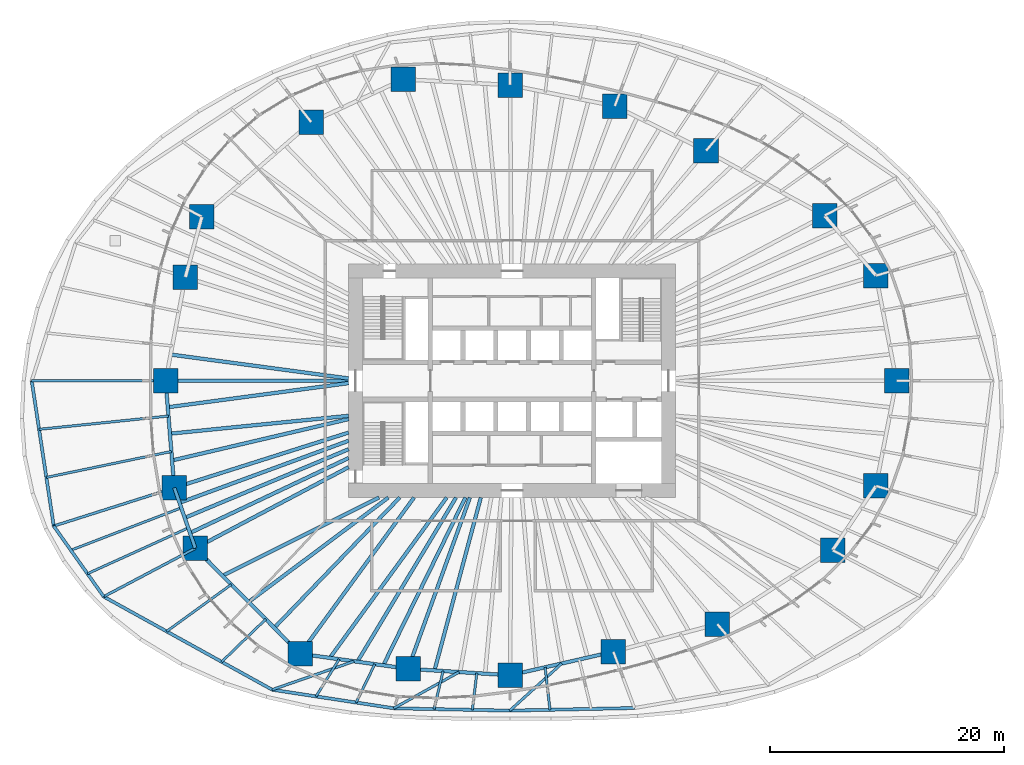
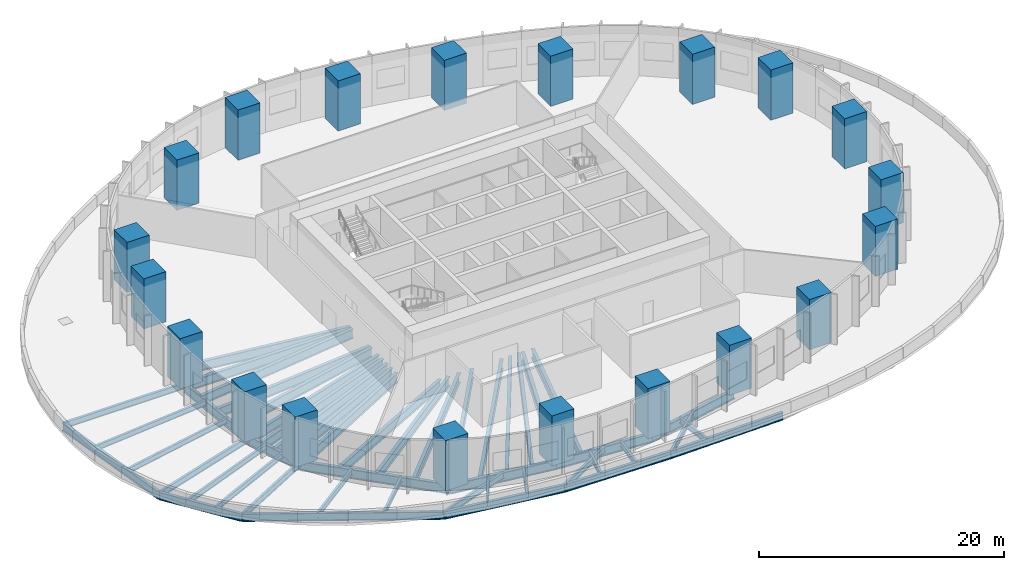
# One storey, part 1 of 11: 48 beams, 20 columns.
"""IFC4 building model written with IfcOpenShell, lengths in metres."""

from ifc_helpers import new_model, si_unit, direction, frame, origin, origin_2d, place, context, subcontext, project, spatial, rectangle, i_section, extrude, material, material_profile, profile_set, type_object, element, save


model = new_model("IFC4")

# Units and contexts
model_context = context("Model", 3, precision=1e-05, world=origin(), true_north=direction((0.0, 1.0)))
body_context = subcontext(model_context, "Body", "Model", "MODEL_VIEW")
ifc_project = project(units=[si_unit("LENGTHUNIT", "METRE"), si_unit("AREAUNIT", "SQUARE_METRE"), si_unit("VOLUMEUNIT", "CUBIC_METRE"), si_unit("PLANEANGLEUNIT", "RADIAN"), si_unit("MASSUNIT", "GRAM", prefix="KILO")], contexts=[model_context])

# Site, building, storey
site_placement = place(None, origin())
site = spatial("IfcSite", under=ifc_project, at=site_placement, CompositionType="ELEMENT")
building_placement = place(site_placement, origin())
building = spatial("IfcBuilding", under=site, at=building_placement, Name="Ghaith Harvest Tower", CompositionType="ELEMENT")
storey_placement = place(building_placement, frame((0.0, 0.0, 15.0)))
storey = spatial("IfcBuildingStorey", under=building, at=storey_placement, Name="L03", CompositionType="ELEMENT", Elevation=15.0)

# Columns
ifc_material_1 = material(Name="Concrete C70/85", Category="concrete")
ifc_material_profile_1 = material_profile(ifc_material_1, rectangle(XDim=2.10009765625, YDim=2.10009765625, at=origin_2d()), Name="RC2100X2100")
ifc_profile_set_1 = profile_set([ifc_material_profile_1], Name="Concrete C70/85")
column_type = type_object("IfcColumnType", Name="TC1 RC2100X2100", PredefinedType="COLUMN", material=ifc_profile_set_1)
for number, where, z_axis, x_axis, name in (
    (1, (32.925048828125, 0.0, 0.0), (0.0, 0.0, 1.0), (1.0, 0.0, 0.0), "Perimeter column C01"),
    (2, (31.166015625, 9.008056640625, 0.0), (0.0, 0.0, 1.0), (1.0, 0.0, 0.0), "Perimeter column C02"),
    (3, (26.763916015625, 14.14697265625, 0.0), (0.0, 0.0, 1.0), (1.0, 0.0, 0.0), "Perimeter column C03"),
    (4, (16.60791015625, 19.695068359375, 0.0), (0.0, 0.0, 1.0), (1.0, 0.0, 0.0), "Perimeter column C04"),
    (5, (8.794921875, 23.527099609375, 0.0), (0.0, 0.0, 1.0), (1.0, 0.0, 0.0), "Perimeter column C05"),
    (6, (-0.173095703125, 25.326904296875, 0.0), (0.0, 0.0, 1.0), (1.0, 0.0, 0.0), "Perimeter column C06"),
    (7, (-9.325927734375, 25.821044921875, 0.0), (0.0, 0.0, 1.0), (1.0, 0.0, 0.0), "Perimeter column C07"),
    (8, (-17.201904296875, 22.14990234375, 0.0), (0.0, 0.0, 1.0), (1.0, 0.0, 0.0), "Perimeter column C08"),
    (9, (-26.572998046875, 14.0458984375, 0.0), (0.0, 0.0, 1.0), (1.0, 0.0, 0.0), "Perimeter column C09"),
    (10, (-27.98291015625, 8.867919921875, 0.0), (0.0, 0.0, 1.0), (1.0, 0.0, 0.0), "Perimeter column C10"),
    (11, (-29.675048828125, 0.0, 0.0), (0.0, 0.0, 1.0), (1.0, 0.0, 0.0), "Perimeter column C11"),
    (12, (-28.929931640625, -9.16796875, 0.0), (0.0, 0.0, 1.0), (1.0, 0.0, 0.0), "Perimeter column C12"),
    (13, (-27.132080078125, -14.341064453125, 0.0), (0.0, 0.0, 1.0), (1.0, 0.0, 0.0), "Perimeter column C13"),
    (14, (-18.157958984375, -23.3798828125, 0.0), (0.0, 0.0, 1.0), (1.0, 0.0, 0.0), "Perimeter column C14"),
    (15, (-8.908935546875, -24.66796875, 0.0), (0.0, 0.0, 1.0), (1.0, 0.0, 0.0), "Perimeter column C15"),
    (16, (-0.173095703125, -25.22412109375, 0.0), (0.0, 0.0, 1.0), (1.0, 0.0, 0.0), "Perimeter column C16"),
    (17, (8.674072265625, -23.202880859375, 0.0), (0.0, 0.0, 1.0), (1.0, 0.0, 0.0), "Perimeter column C17"),
    (18, (17.572021484375, -20.8369140625, 0.0), (0.0, 0.0, 1.0), (1.0, 0.0, 0.0), "Perimeter column C18"),
    (19, (27.448974609375, -14.509033203125, 0.0), (0.0, 0.0, 1.0), (1.0, 0.0, 0.0), "Perimeter column C19"),
    (20, (31.166015625, -9.008056640625, 0.0), (0.0, 0.0, 1.0), (1.0, 0.0, 0.0), "Perimeter column C20"),
):
    element("IfcColumn", number, at=place(storey_placement, frame(where, z_axis=z_axis, x_axis=x_axis)), inside=storey, type_object=column_type, Name=name, PredefinedType="COLUMN", context=body_context, shape_type="SweptSolid", body=[
        extrude(rectangle(XDim=2.10009765625, YDim=2.10009765625, at=origin_2d()), origin(), (0.0, 0.0, 1.0), 5.0),
    ])

# Beams
ifc_material_2 = material(Name="Steel ASTM A992 Grade 50", Category="steel")
ifc_material_profile_2 = material_profile(ifc_material_2, i_section(OverallWidth=0.26806640625, OverallDepth=0.77001953125, WebThickness=0.015625, FlangeThickness=0.025390625, at=origin_2d()), Name="W760X196")
ifc_profile_set_2 = profile_set([ifc_material_profile_2], Name="Steel ASTM A992 Grade 50")
beam_type_1 = type_object("IfcBeamType", Name="E760-196 W760X196", PredefinedType="SPANDREL", material=ifc_profile_set_2)
beam_1_placement = place(storey_placement, frame((-41.14208984375, 0.0, -0.68505859375), z_axis=(0.149882970855, -0.988703744833, 0.0), x_axis=(0.988703744833, 0.149882970855, 0.0)))
element("IfcBeam", 21, at=beam_1_placement, inside=storey, type_object=beam_type_1, Name="Podium edge beam PE11 L03", PredefinedType="SPANDREL", context=body_context, shape_type="SweptSolid", body=[
    extrude(i_section(OverallWidth=0.26806640625, OverallDepth=0.77001953125, WebThickness=0.015625, FlangeThickness=0.025390625, at=origin_2d()), origin(), (0.0, 0.0, 1.0), 12.5830078125),
])
beam_2_placement = place(storey_placement, frame((-39.256103515625, -12.44091796875, -0.68505859375), z_axis=(0.577866461628, -0.81613133289, 0.0), x_axis=(0.81613133289, 0.577866461628, 0.0)))
element("IfcBeam", 22, at=beam_2_placement, inside=storey, type_object=beam_type_1, Name="Podium edge beam PE12 L03", PredefinedType="SPANDREL", context=body_context, shape_type="SweptSolid", body=[
    extrude(i_section(OverallWidth=0.26806640625, OverallDepth=0.77001953125, WebThickness=0.015625, FlangeThickness=0.025390625, at=origin_2d()), origin(), (0.0, 0.0, 1.0), 7.408203125),
])
beam_3_placement = place(storey_placement, frame((-34.97509765625, -18.487060546875, -0.68505859375), z_axis=(0.875250611325, -0.483669688294, 0.0), x_axis=(0.483669688294, 0.875250611325, 0.0)))
element("IfcBeam", 23, at=beam_3_placement, inside=storey, type_object=beam_type_1, Name="Podium edge beam PE13 L03", PredefinedType="SPANDREL", context=body_context, shape_type="SweptSolid", body=[
    extrude(i_section(OverallWidth=0.26806640625, OverallDepth=0.77001953125, WebThickness=0.015625, FlangeThickness=0.025390625, at=origin_2d()), origin(), (0.0, 0.0, 1.0), 16.482177734375),
])
beam_4_placement = place(storey_placement, frame((-20.549072265625, -26.458984375, -0.68505859375), z_axis=(0.988537951138, -0.150972577511, 0.0), x_axis=(0.150972577511, 0.988537951138, 0.0)))
element("IfcBeam", 24, at=beam_4_placement, inside=storey, type_object=beam_type_1, Name="Podium edge beam PE14 L03", PredefinedType="SPANDREL", context=body_context, shape_type="SweptSolid", body=[
    extrude(i_section(OverallWidth=0.26806640625, OverallDepth=0.77001953125, WebThickness=0.015625, FlangeThickness=0.025390625, at=origin_2d()), origin(), (0.0, 0.0, 1.0), 10.538818359375),
])
beam_5_placement = place(storey_placement, frame((-10.131103515625, -28.050048828125, -0.68505859375), z_axis=(0.999797656564, -0.02011581292, 0.0), x_axis=(0.02011581292, 0.999797656564, 0.0)))
element("IfcBeam", 25, at=beam_5_placement, inside=storey, type_object=beam_type_1, Name="Podium edge beam PE15 L03", PredefinedType="SPANDREL", context=body_context, shape_type="SweptSolid", body=[
    extrude(i_section(OverallWidth=0.26806640625, OverallDepth=0.77001953125, WebThickness=0.015625, FlangeThickness=0.025390625, at=origin_2d()), origin(), (0.0, 0.0, 1.0), 9.93994140625),
])
beam_6_placement = place(storey_placement, frame((-0.193115234375, -28.25, -0.68505859375), z_axis=(0.99978187412, 0.020885501683, 0.0), x_axis=(-0.020885501683, 0.99978187412, 0.0)))
element("IfcBeam", 26, at=beam_6_placement, inside=storey, type_object=beam_type_1, Name="Podium edge beam PE16 L03", PredefinedType="SPANDREL", context=body_context, shape_type="SweptSolid", body=[
    extrude(i_section(OverallWidth=0.26806640625, OverallDepth=0.77001953125, WebThickness=0.015625, FlangeThickness=0.025390625, at=origin_2d()), origin(), (0.0, 0.0, 1.0), 10.672607421875),
])
ifc_material_3 = material(Name="Steel ASTM A992 Grade 50", Category="steel")
ifc_material_profile_3 = material_profile(ifc_material_3, i_section(OverallWidth=0.306884765625, OverallDepth=0.94189453125, WebThickness=0.022216796875, FlangeThickness=0.039794921875, at=origin_2d()), Name="W920X345")
ifc_profile_set_3 = profile_set([ifc_material_profile_3], Name="Steel ASTM A992 Grade 50")
beam_type_2 = type_object("IfcBeamType", Name="E920-345 W920X345", PredefinedType="SPANDREL", material=ifc_profile_set_3)
beam_7_placement = place(storey_placement, frame((-29.675048828125, 0.0, -0.77099609375), z_axis=(0.081006863421, -0.996713543642, 0.0), x_axis=(0.996713543642, 0.081006863421, 0.0)))
element("IfcBeam", 27, at=beam_7_placement, inside=storey, type_object=beam_type_2, Name="Edge beam E11 L03", PredefinedType="SPANDREL", context=body_context, shape_type="SweptSolid", body=[
    extrude(i_section(OverallWidth=0.306884765625, OverallDepth=0.94189453125, WebThickness=0.022216796875, FlangeThickness=0.039794921875, at=origin_2d()), origin(), (0.0, 0.0, 1.0), 9.1982421875),
])
beam_8_placement = place(storey_placement, frame((-28.929931640625, -9.16796875, -0.77099609375), z_axis=(0.328278550319, -0.944580961803, 0.0), x_axis=(0.944580961803, 0.328278550319, 0.0)))
element("IfcBeam", 28, at=beam_8_placement, inside=storey, type_object=beam_type_2, Name="Edge beam E12 L03", PredefinedType="SPANDREL", context=body_context, shape_type="SweptSolid", body=[
    extrude(i_section(OverallWidth=0.306884765625, OverallDepth=0.94189453125, WebThickness=0.022216796875, FlangeThickness=0.039794921875, at=origin_2d()), origin(), (0.0, 0.0, 1.0), 5.4765625),
])
beam_9_placement = place(storey_placement, frame((-27.132080078125, -14.341064453125, -0.77099609375), z_axis=(0.704562513714, -0.709641926798, 0.0), x_axis=(0.709641926798, 0.704562513714, 0.0)))
element("IfcBeam", 29, at=beam_9_placement, inside=storey, type_object=beam_type_2, Name="Edge beam E13 L03", PredefinedType="SPANDREL", context=body_context, shape_type="SweptSolid", body=[
    extrude(i_section(OverallWidth=0.306884765625, OverallDepth=0.94189453125, WebThickness=0.022216796875, FlangeThickness=0.039794921875, at=origin_2d()), origin(), (0.0, 0.0, 1.0), 12.737060546875),
])
beam_10_placement = place(storey_placement, frame((-18.157958984375, -23.3798828125, -0.77099609375), z_axis=(0.990441143901, -0.137936001352, 0.0), x_axis=(0.137936001352, 0.990441143901, 0.0)))
element("IfcBeam", 30, at=beam_10_placement, inside=storey, type_object=beam_type_2, Name="Edge beam E14 L03", PredefinedType="SPANDREL", context=body_context, shape_type="SweptSolid", body=[
    extrude(i_section(OverallWidth=0.306884765625, OverallDepth=0.94189453125, WebThickness=0.022216796875, FlangeThickness=0.039794921875, at=origin_2d()), origin(), (0.0, 0.0, 1.0), 9.33837890625),
])
beam_11_placement = place(storey_placement, frame((-8.908935546875, -24.66796875, -0.77099609375), z_axis=(0.99797963184, -0.063534671101, 0.0), x_axis=(0.063534671101, 0.99797963184, 0.0)))
element("IfcBeam", 31, at=beam_11_placement, inside=storey, type_object=beam_type_2, Name="Edge beam E15 L03", PredefinedType="SPANDREL", context=body_context, shape_type="SweptSolid", body=[
    extrude(i_section(OverallWidth=0.306884765625, OverallDepth=0.94189453125, WebThickness=0.022216796875, FlangeThickness=0.039794921875, at=origin_2d()), origin(), (0.0, 0.0, 1.0), 8.75341796875),
])
beam_12_placement = place(storey_placement, frame((-0.173095703125, -25.22412109375, -0.77099609375), z_axis=(0.974881709383, 0.22272326486, 0.0), x_axis=(-0.22272326486, 0.974881709383, 0.0)))
element("IfcBeam", 32, at=beam_12_placement, inside=storey, type_object=beam_type_2, Name="Edge beam E16 L03", PredefinedType="SPANDREL", context=body_context, shape_type="SweptSolid", body=[
    extrude(i_section(OverallWidth=0.306884765625, OverallDepth=0.94189453125, WebThickness=0.022216796875, FlangeThickness=0.039794921875, at=origin_2d()), origin(), (0.0, 0.0, 1.0), 9.0751953125),
])
ifc_material_4 = material(Name="Steel ASTM A992 Grade 50", Category="steel")
ifc_material_profile_4 = material_profile(ifc_material_4, i_section(OverallWidth=0.22802734375, OverallDepth=0.60302734375, WebThickness=0.010498046875, FlangeThickness=0.014892578125, at=origin_2d()), Name="W610X101")
ifc_profile_set_4 = profile_set([ifc_material_profile_4], Name="Steel ASTM A992 Grade 50")
beam_type_3 = type_object("IfcBeamType", Name="G610-101 W610X101", PredefinedType="BEAM", material=ifc_profile_set_4)
beam_13_placement = place(storey_placement, frame((-29.675048828125, 0.0, -0.6015625), z_axis=(-1.0, 0.0, 0.0), x_axis=(0.0, -1.0, 0.0)))
element("IfcBeam", 33, at=beam_13_placement, inside=storey, type_object=beam_type_3, Name="Podium radial beam PR11 L03", PredefinedType="BEAM", context=body_context, shape_type="SweptSolid", body=[
    extrude(i_section(OverallWidth=0.22802734375, OverallDepth=0.60302734375, WebThickness=0.010498046875, FlangeThickness=0.014892578125, at=origin_2d()), origin(), (0.0, 0.0, 1.0), 11.467041015625),
])
beam_14_placement = place(storey_placement, frame((-28.929931640625, -9.16796875, -0.6015625), z_axis=(-0.953262623982, -0.302142962386, 0.0), x_axis=(0.302142962386, -0.953262623982, 0.0)))
element("IfcBeam", 34, at=beam_14_placement, inside=storey, type_object=beam_type_3, Name="Podium radial beam PR12 L03", PredefinedType="BEAM", context=body_context, shape_type="SweptSolid", body=[
    extrude(i_section(OverallWidth=0.22802734375, OverallDepth=0.60302734375, WebThickness=0.010498046875, FlangeThickness=0.014892578125, at=origin_2d()), origin(), (0.0, 0.0, 1.0), 10.83251953125),
])
beam_15_placement = place(storey_placement, frame((-27.132080078125, -14.341064453125, -0.6015625), z_axis=(-0.884076260835, -0.467342663393, 0.0), x_axis=(0.467342663393, -0.884076260835, 0.0)))
element("IfcBeam", 35, at=beam_15_placement, inside=storey, type_object=beam_type_3, Name="Podium radial beam PR13 L03", PredefinedType="BEAM", context=body_context, shape_type="SweptSolid", body=[
    extrude(i_section(OverallWidth=0.22802734375, OverallDepth=0.60302734375, WebThickness=0.010498046875, FlangeThickness=0.014892578125, at=origin_2d()), origin(), (0.0, 0.0, 1.0), 8.871337890625),
])
beam_16_placement = place(storey_placement, frame((-13.533447265625, -24.02392578125, -0.6015625), z_axis=(-0.944712141778, -0.327900852662, 0.0), x_axis=(0.327900852662, -0.944712141778, 0.0)))
element("IfcBeam", 36, at=beam_16_placement, inside=storey, type_object=beam_type_3, Name="Podium radial beam PR14 L03", PredefinedType="BEAM", context=body_context, shape_type="SweptSolid", body=[
    extrude(i_section(OverallWidth=0.22802734375, OverallDepth=0.60302734375, WebThickness=0.010498046875, FlangeThickness=0.014892578125, at=origin_2d()), origin(), (0.0, 0.0, 1.0), 7.42626953125),
])
beam_17_placement = place(storey_placement, frame((-4.541015625, -24.946044921875, -0.6015625), z_axis=(-0.874263517669, -0.4854516471, 0.0), x_axis=(0.4854516471, -0.874263517669, 0.0)))
element("IfcBeam", 37, at=beam_17_placement, inside=storey, type_object=beam_type_3, Name="Podium radial beam PR15 L03", PredefinedType="BEAM", context=body_context, shape_type="SweptSolid", body=[
    extrude(i_section(OverallWidth=0.22802734375, OverallDepth=0.60302734375, WebThickness=0.010498046875, FlangeThickness=0.014892578125, at=origin_2d()), origin(), (0.0, 0.0, 1.0), 6.39404296875),
])
beam_18_placement = place(storey_placement, frame((4.25048828125, -24.21337890625, -0.6015625), z_axis=(-0.740190284103, -0.672397459335, 0.0), x_axis=(0.672397459335, -0.740190284103, 0.0)))
element("IfcBeam", 38, at=beam_18_placement, inside=storey, type_object=beam_type_3, Name="Podium radial beam PR16 L03", PredefinedType="BEAM", context=body_context, shape_type="SweptSolid", body=[
    extrude(i_section(OverallWidth=0.22802734375, OverallDepth=0.60302734375, WebThickness=0.010498046875, FlangeThickness=0.014892578125, at=origin_2d()), origin(), (0.0, 0.0, 1.0), 6.00341796875),
])
ifc_material_5 = material(Name="Steel ASTM A992 Grade 50", Category="steel")
ifc_material_profile_5 = material_profile(ifc_material_5, i_section(OverallWidth=0.306884765625, OverallDepth=0.94189453125, WebThickness=0.022216796875, FlangeThickness=0.039794921875, at=origin_2d()), Name="W920X345")
ifc_profile_set_5 = profile_set([ifc_material_profile_5], Name="Steel ASTM A992 Grade 50")
beam_type_4 = type_object("IfcBeamType", Name="G920-345 W920X345", PredefinedType="BEAM", material=ifc_profile_set_5)
beam_19_placement = place(storey_placement, frame((-14.0, 0.0, -0.77099609375), z_axis=(-1.0, 0.0, 0.0), x_axis=(0.0, -1.0, 0.0)))
element("IfcBeam", 39, at=beam_19_placement, inside=storey, type_object=beam_type_4, Name="Radial girder G11 L03", PredefinedType="BEAM", context=body_context, shape_type="SweptSolid", body=[
    extrude(i_section(OverallWidth=0.306884765625, OverallDepth=0.94189453125, WebThickness=0.022216796875, FlangeThickness=0.039794921875, at=origin_2d()), origin(), (0.0, 0.0, 1.0), 15.675048828125),
])
beam_20_placement = place(storey_placement, frame((-14.0, -4.43701171875, -0.77099609375), z_axis=(-0.953284407194, -0.302074227636, 0.0), x_axis=(0.302074227636, -0.953284407194, 0.0)))
element("IfcBeam", 40, at=beam_20_placement, inside=storey, type_object=beam_type_4, Name="Radial girder G12 L03", PredefinedType="BEAM", context=body_context, shape_type="SweptSolid", body=[
    extrude(i_section(OverallWidth=0.306884765625, OverallDepth=0.94189453125, WebThickness=0.022216796875, FlangeThickness=0.039794921875, at=origin_2d()), origin(), (0.0, 0.0, 1.0), 15.66162109375),
])
beam_21_placement = place(storey_placement, frame((-14.0, -7.39990234375, -0.77099609375), z_axis=(-0.884097171481, -0.467303104397, 0.0), x_axis=(0.467303104397, -0.884097171481, 0.0)))
element("IfcBeam", 41, at=beam_21_placement, inside=storey, type_object=beam_type_4, Name="Radial girder G13 L03", PredefinedType="BEAM", context=body_context, shape_type="SweptSolid", body=[
    extrude(i_section(OverallWidth=0.306884765625, OverallDepth=0.94189453125, WebThickness=0.022216796875, FlangeThickness=0.039794921875, at=origin_2d()), origin(), (0.0, 0.0, 1.0), 14.853759765625),
])
beam_22_placement = place(storey_placement, frame((-8.39990234375, -10.0, -0.77099609375), z_axis=(-0.589246749374, -0.807953134997, 0.0), x_axis=(0.807953134997, -0.589246749374, 0.0)))
element("IfcBeam", 42, at=beam_22_placement, inside=storey, type_object=beam_type_4, Name="Radial girder G14 L03", PredefinedType="BEAM", context=body_context, shape_type="SweptSolid", body=[
    extrude(i_section(OverallWidth=0.306884765625, OverallDepth=0.94189453125, WebThickness=0.022216796875, FlangeThickness=0.039794921875, at=origin_2d()), origin(), (0.0, 0.0, 1.0), 16.560302734375),
])
beam_23_placement = place(storey_placement, frame((-3.61181640625, -10.0, -0.77099609375), z_axis=(-0.339664467784, -0.940546675782, 0.0), x_axis=(0.940546675782, -0.339664467784, 0.0)))
element("IfcBeam", 43, at=beam_23_placement, inside=storey, type_object=beam_type_4, Name="Radial girder G15 L03", PredefinedType="BEAM", context=body_context, shape_type="SweptSolid", body=[
    extrude(i_section(OverallWidth=0.306884765625, OverallDepth=0.94189453125, WebThickness=0.022216796875, FlangeThickness=0.039794921875, at=origin_2d()), origin(), (0.0, 0.0, 1.0), 15.59521484375),
])
ifc_material_6 = material(Name="Steel ASTM A992 Grade 50", Category="steel")
ifc_material_profile_6 = material_profile(ifc_material_6, i_section(OverallWidth=0.208984375, OverallDepth=0.532958984375, WebThickness=0.01025390625, FlangeThickness=0.015625, at=origin_2d()), Name="W530X92")
ifc_profile_set_6 = profile_set([ifc_material_profile_6], Name="Steel ASTM A992 Grade 50")
beam_type_5 = type_object("IfcBeamType", Name="J530-92 W530X92", PredefinedType="JOIST", material=ifc_profile_set_6)
beam_24_placement = place(storey_placement, frame((-29.429443359375, -3.021240234375, -0.56640625), z_axis=(-0.994771624247, -0.102124510244, 0.0), x_axis=(0.102124510244, -0.994771624247, 0.0)))
element("IfcBeam", 44, at=beam_24_placement, inside=storey, type_object=beam_type_5, Name="Podium joist PJ11.1 L03", PredefinedType="JOIST", context=body_context, shape_type="SweptSolid", body=[
    extrude(i_section(OverallWidth=0.208984375, OverallDepth=0.532958984375, WebThickness=0.01025390625, FlangeThickness=0.015625, at=origin_2d()), origin(), (0.0, 0.0, 1.0), 11.140380859375),
])
beam_25_placement = place(storey_placement, frame((-29.182861328125, -6.0556640625, -0.56640625), z_axis=(-0.979142304448, -0.203175657107, 0.0), x_axis=(0.203175657107, -0.979142304448, 0.0)))
element("IfcBeam", 45, at=beam_25_placement, inside=storey, type_object=beam_type_5, Name="Podium joist PJ11.2 L03", PredefinedType="JOIST", context=body_context, shape_type="SweptSolid", body=[
    extrude(i_section(OverallWidth=0.208984375, OverallDepth=0.532958984375, WebThickness=0.01025390625, FlangeThickness=0.015625, at=origin_2d()), origin(), (0.0, 0.0, 1.0), 10.932373046875),
])
beam_26_placement = place(storey_placement, frame((-28.334228515625, -10.8818359375, -0.56640625), z_axis=(-0.933520076282, -0.35852512768, 0.0), x_axis=(0.35852512768, -0.933520076282, 0.0)))
element("IfcBeam", 46, at=beam_26_placement, inside=storey, type_object=beam_type_5, Name="Podium joist PJ12.1 L03", PredefinedType="JOIST", context=body_context, shape_type="SweptSolid", body=[
    extrude(i_section(OverallWidth=0.208984375, OverallDepth=0.532958984375, WebThickness=0.01025390625, FlangeThickness=0.015625, at=origin_2d()), origin(), (0.0, 0.0, 1.0), 10.1279296875),
])
beam_27_placement = place(storey_placement, frame((-27.736328125, -12.60205078125, -0.56640625), z_axis=(-0.910437915536, -0.413645744514, 0.0), x_axis=(0.413645744514, -0.910437915536, 0.0)))
element("IfcBeam", 47, at=beam_27_placement, inside=storey, type_object=beam_type_5, Name="Podium joist PJ12.2 L03", PredefinedType="JOIST", context=body_context, shape_type="SweptSolid", body=[
    extrude(i_section(OverallWidth=0.208984375, OverallDepth=0.532958984375, WebThickness=0.01025390625, FlangeThickness=0.015625, at=origin_2d()), origin(), (0.0, 0.0, 1.0), 9.478271484375),
])
beam_28_placement = place(storey_placement, frame((-24.048095703125, -17.447509765625, -0.56640625), z_axis=(-0.80941453106, -0.587237700517, 0.0), x_axis=(0.587237700517, -0.80941453106, 0.0)))
element("IfcBeam", 48, at=beam_28_placement, inside=storey, type_object=beam_type_5, Name="Podium joist PJ13.1 L03", PredefinedType="JOIST", context=body_context, shape_type="SweptSolid", body=[
    extrude(i_section(OverallWidth=0.208984375, OverallDepth=0.532958984375, WebThickness=0.01025390625, FlangeThickness=0.015625, at=origin_2d()), origin(), (0.0, 0.0, 1.0), 6.841552734375),
])
beam_29_placement = place(storey_placement, frame((-21.09765625, -20.419189453125, -0.56640625), z_axis=(-0.718566911947, -0.695457829817, 0.0), x_axis=(0.695457829817, -0.718566911947, 0.0)))
element("IfcBeam", 49, at=beam_29_placement, inside=storey, type_object=beam_type_5, Name="Podium joist PJ13.2 L03", PredefinedType="JOIST", context=body_context, shape_type="SweptSolid", body=[
    extrude(i_section(OverallWidth=0.208984375, OverallDepth=0.532958984375, WebThickness=0.01025390625, FlangeThickness=0.015625, at=origin_2d()), origin(), (0.0, 0.0, 1.0), 5.250732421875),
])
beam_30_placement = place(storey_placement, frame((-14.809814453125, -23.84619140625, -0.56640625), z_axis=(-0.527528090302, -0.849537588305, 0.0), x_axis=(0.849537588305, -0.527528090302, 0.0)))
element("IfcBeam", 50, at=beam_30_placement, inside=storey, type_object=beam_type_5, Name="Podium joist PJ14.1 L03", PredefinedType="JOIST", context=body_context, shape_type="SweptSolid", body=[
    extrude(i_section(OverallWidth=0.208984375, OverallDepth=0.532958984375, WebThickness=0.01025390625, FlangeThickness=0.015625, at=origin_2d()), origin(), (0.0, 0.0, 1.0), 3.75146484375),
])
beam_31_placement = place(storey_placement, frame((-11.759521484375, -24.27099609375, -0.56640625), z_axis=(-0.436002893148, -0.899945263428, 0.0), x_axis=(0.899945263428, -0.436002893148, 0.0)))
element("IfcBeam", 51, at=beam_31_placement, inside=storey, type_object=beam_type_5, Name="Podium joist PJ14.2 L03", PredefinedType="JOIST", context=body_context, shape_type="SweptSolid", body=[
    extrude(i_section(OverallWidth=0.208984375, OverallDepth=0.532958984375, WebThickness=0.01025390625, FlangeThickness=0.015625, at=origin_2d()), origin(), (0.0, 0.0, 1.0), 3.652587890625),
])
beam_32_placement = place(storey_placement, frame((-5.908447265625, -24.85888671875, -0.56640625), z_axis=(-0.231223276773, -0.972900712446, 0.0), x_axis=(0.972900712446, -0.231223276773, 0.0)))
element("IfcBeam", 52, at=beam_32_placement, inside=storey, type_object=beam_type_5, Name="Podium joist PJ15.1 L03", PredefinedType="JOIST", context=body_context, shape_type="SweptSolid", body=[
    extrude(i_section(OverallWidth=0.208984375, OverallDepth=0.532958984375, WebThickness=0.01025390625, FlangeThickness=0.015625, at=origin_2d()), origin(), (0.0, 0.0, 1.0), 3.351318359375),
])
beam_33_placement = place(storey_placement, frame((-3.02197265625, -25.042724609375, -0.56640625), z_axis=(-0.119856859733, -0.992791183067, 0.0), x_axis=(0.992791183067, -0.119856859733, 0.0)))
element("IfcBeam", 53, at=beam_33_placement, inside=storey, type_object=beam_type_5, Name="Podium joist PJ15.2 L03", PredefinedType="JOIST", context=body_context, shape_type="SweptSolid", body=[
    extrude(i_section(OverallWidth=0.208984375, OverallDepth=0.532958984375, WebThickness=0.01025390625, FlangeThickness=0.015625, at=origin_2d()), origin(), (0.0, 0.0, 1.0), 3.165283203125),
])
beam_34_placement = place(storey_placement, frame((2.82666015625, -24.538818359375, -0.56640625), z_axis=(0.114431852892, -0.9934311003, 0.0), x_axis=(0.9934311003, 0.114431852892, 0.0)))
element("IfcBeam", 54, at=beam_34_placement, inside=storey, type_object=beam_type_5, Name="Podium joist PJ16.1 L03", PredefinedType="JOIST", context=body_context, shape_type="SweptSolid", body=[
    extrude(i_section(OverallWidth=0.208984375, OverallDepth=0.532958984375, WebThickness=0.01025390625, FlangeThickness=0.015625, at=origin_2d()), origin(), (0.0, 0.0, 1.0), 3.663330078125),
])
ifc_material_7 = material(Name="Steel ASTM A992 Grade 50", Category="steel")
ifc_material_profile_7 = material_profile(ifc_material_7, i_section(OverallWidth=0.31005859375, OverallDepth=0.927001953125, WebThickness=0.019287109375, FlangeThickness=0.031982421875, at=origin_2d()), Name="W920X289")
ifc_profile_set_7 = profile_set([ifc_material_profile_7], Name="Steel ASTM A992 Grade 50")
beam_type_6 = type_object("IfcBeamType", Name="J920-289 W920X289", PredefinedType="JOIST", material=ifc_profile_set_7)
beam_35_placement = place(storey_placement, frame((-14.0, 0.199951171875, -0.763427734375), z_axis=(-0.991095171591, 0.133155401128, 0.0), x_axis=(-0.133155401128, -0.991095171591, 0.0)))
element("IfcBeam", 55, at=beam_35_placement, inside=storey, type_object=beam_type_6, Name="Joist J10.3 L03", PredefinedType="JOIST", context=body_context, shape_type="SweptSolid", body=[
    extrude(i_section(OverallWidth=0.31005859375, OverallDepth=0.927001953125, WebThickness=0.019287109375, FlangeThickness=0.031982421875, at=origin_2d()), origin(), (0.0, 0.0, 1.0), 15.383056640625),
])
beam_36_placement = place(storey_placement, frame((-14.0, -0.199951171875, -0.763427734375), z_axis=(-0.991213569042, -0.132271162948, 0.0), x_axis=(0.132271162948, -0.991213569042, 0.0)))
element("IfcBeam", 56, at=beam_36_placement, inside=storey, type_object=beam_type_6, Name="Joist J11.1 L03", PredefinedType="JOIST", context=body_context, shape_type="SweptSolid", body=[
    extrude(i_section(OverallWidth=0.31005859375, OverallDepth=0.927001953125, WebThickness=0.019287109375, FlangeThickness=0.031982421875, at=origin_2d()), origin(), (0.0, 0.0, 1.0), 15.6279296875),
])
beam_37_placement = place(storey_placement, frame((-14.0, -3.0, -0.763427734375), z_axis=(-0.995023982133, -0.099635711366, 0.0), x_axis=(0.099635711366, -0.995023982133, 0.0)))
element("IfcBeam", 57, at=beam_37_placement, inside=storey, type_object=beam_type_6, Name="Joist J11.2 L03", PredefinedType="JOIST", context=body_context, shape_type="SweptSolid", body=[
    extrude(i_section(OverallWidth=0.31005859375, OverallDepth=0.927001953125, WebThickness=0.019287109375, FlangeThickness=0.031982421875, at=origin_2d()), origin(), (0.0, 0.0, 1.0), 15.38330078125),
])
beam_38_placement = place(storey_placement, frame((-14.0, -3.280517578125, -0.763427734375), z_axis=(-0.973622531394, -0.228164778969, 0.0), x_axis=(0.228164778969, -0.973622531394, 0.0)))
element("IfcBeam", 58, at=beam_38_placement, inside=storey, type_object=beam_type_6, Name="Joist J11.3 L03", PredefinedType="JOIST", context=body_context, shape_type="SweptSolid", body=[
    extrude(i_section(OverallWidth=0.31005859375, OverallDepth=0.927001953125, WebThickness=0.019287109375, FlangeThickness=0.031982421875, at=origin_2d()), origin(), (0.0, 0.0, 1.0), 15.5302734375),
])
beam_39_placement = place(storey_placement, frame((-14.0, -5.137939453125, -0.763427734375), z_axis=(-0.938772784742, -0.344536875569, 0.0), x_axis=(0.344536875569, -0.938772784742, 0.0)))
element("IfcBeam", 59, at=beam_39_placement, inside=storey, type_object=beam_type_6, Name="Joist J12.1 L03", PredefinedType="JOIST", context=body_context, shape_type="SweptSolid", body=[
    extrude(i_section(OverallWidth=0.31005859375, OverallDepth=0.927001953125, WebThickness=0.019287109375, FlangeThickness=0.031982421875, at=origin_2d()), origin(), (0.0, 0.0, 1.0), 15.427734375),
])
beam_40_placement = place(storey_placement, frame((-14.0, -5.862548828125, -0.763427734375), z_axis=(-0.922389547545, -0.386260951404, 0.0), x_axis=(0.386260951404, -0.922389547545, 0.0)))
element("IfcBeam", 60, at=beam_40_placement, inside=storey, type_object=beam_type_6, Name="Joist J12.2 L03", PredefinedType="JOIST", context=body_context, shape_type="SweptSolid", body=[
    extrude(i_section(OverallWidth=0.31005859375, OverallDepth=0.927001953125, WebThickness=0.019287109375, FlangeThickness=0.031982421875, at=origin_2d()), origin(), (0.0, 0.0, 1.0), 15.216796875),
])
beam_41_placement = place(storey_placement, frame((-14.0, -6.614990234375, -0.763427734375), z_axis=(-0.904152605228, -0.427209628239, 0.0), x_axis=(0.427209628239, -0.904152605228, 0.0)))
element("IfcBeam", 61, at=beam_41_placement, inside=storey, type_object=beam_type_6, Name="Joist J12.3 L03", PredefinedType="JOIST", context=body_context, shape_type="SweptSolid", body=[
    extrude(i_section(OverallWidth=0.31005859375, OverallDepth=0.927001953125, WebThickness=0.019287109375, FlangeThickness=0.031982421875, at=origin_2d()), origin(), (0.0, 0.0, 1.0), 15.0263671875),
])
beam_42_placement = place(storey_placement, frame((-11.39990234375, -10.0, -0.763427734375), z_axis=(-0.894746445211, -0.446574516495, 0.0), x_axis=(0.446574516495, -0.894746445211, 0.0)))
element("IfcBeam", 62, at=beam_42_placement, inside=storey, type_object=beam_type_6, Name="Joist J13.1 L03", PredefinedType="JOIST", context=body_context, shape_type="SweptSolid", body=[
    extrude(i_section(OverallWidth=0.31005859375, OverallDepth=0.927001953125, WebThickness=0.019287109375, FlangeThickness=0.031982421875, at=origin_2d()), origin(), (0.0, 0.0, 1.0), 14.977783203125),
])
beam_43_placement = place(storey_placement, frame((-10.60009765625, -10.0, -0.763427734375), z_axis=(-0.800995319048, -0.598670609653, 0.0), x_axis=(0.598670609653, -0.800995319048, 0.0)))
element("IfcBeam", 63, at=beam_43_placement, inside=storey, type_object=beam_type_6, Name="Joist J13.2 L03", PredefinedType="JOIST", context=body_context, shape_type="SweptSolid", body=[
    extrude(i_section(OverallWidth=0.31005859375, OverallDepth=0.927001953125, WebThickness=0.019287109375, FlangeThickness=0.031982421875, at=origin_2d()), origin(), (0.0, 0.0, 1.0), 14.936279296875),
])
ifc_material_8 = material(Name="Steel ASTM A992 Grade 50", Category="steel")
ifc_material_profile_8 = material_profile(ifc_material_8, i_section(OverallWidth=0.306884765625, OverallDepth=0.94189453125, WebThickness=0.022216796875, FlangeThickness=0.039794921875, at=origin_2d()), Name="W920X345")
ifc_profile_set_8 = profile_set([ifc_material_profile_8], Name="Steel ASTM A992 Grade 50")
beam_type_7 = type_object("IfcBeamType", Name="J920-345 W920X345", PredefinedType="JOIST", material=ifc_profile_set_8)
beam_44_placement = place(storey_placement, frame((-9.626708984375, -10.0, -0.77099609375), z_axis=(-0.69353836378, -0.720419695709, 0.0), x_axis=(0.720419695709, -0.69353836378, 0.0)))
element("IfcBeam", 64, at=beam_44_placement, inside=storey, type_object=beam_type_7, Name="Joist J13.3 L03", PredefinedType="JOIST", context=body_context, shape_type="SweptSolid", body=[
    extrude(i_section(OverallWidth=0.306884765625, OverallDepth=0.94189453125, WebThickness=0.022216796875, FlangeThickness=0.039794921875, at=origin_2d()), origin(), (0.0, 0.0, 1.0), 15.485107421875),
])
beam_45_placement = place(storey_placement, frame((-5.60009765625, -10.0, -0.77099609375), z_axis=(-0.589160240072, -0.808016219836, 0.0), x_axis=(0.808016219836, -0.589160240072, 0.0)))
element("IfcBeam", 65, at=beam_45_placement, inside=storey, type_object=beam_type_7, Name="Joist J14.1 L03", PredefinedType="JOIST", context=body_context, shape_type="SweptSolid", body=[
    extrude(i_section(OverallWidth=0.306884765625, OverallDepth=0.94189453125, WebThickness=0.022216796875, FlangeThickness=0.039794921875, at=origin_2d()), origin(), (0.0, 0.0, 1.0), 16.997314453125),
])
beam_46_placement = place(storey_placement, frame((-4.800048828125, -10.0, -0.77099609375), z_axis=(-0.515226384897, -0.85705412449, 0.0), x_axis=(0.85705412449, -0.515226384897, 0.0)))
element("IfcBeam", 66, at=beam_46_placement, inside=storey, type_object=beam_type_7, Name="Joist J14.2 L03", PredefinedType="JOIST", context=body_context, shape_type="SweptSolid", body=[
    extrude(i_section(OverallWidth=0.306884765625, OverallDepth=0.94189453125, WebThickness=0.022216796875, FlangeThickness=0.039794921875, at=origin_2d()), origin(), (0.0, 0.0, 1.0), 16.408447265625),
])
beam_47_placement = place(storey_placement, frame((-4.0, -10.0, -0.77099609375), z_axis=(-0.439463806704, -0.898260297797, 0.0), x_axis=(0.898260297797, -0.439463806704, 0.0)))
element("IfcBeam", 67, at=beam_47_placement, inside=storey, type_object=beam_type_7, Name="Joist J14.3 L03", PredefinedType="JOIST", context=body_context, shape_type="SweptSolid", body=[
    extrude(i_section(OverallWidth=0.306884765625, OverallDepth=0.94189453125, WebThickness=0.022216796875, FlangeThickness=0.039794921875, at=origin_2d()), origin(), (0.0, 0.0, 1.0), 16.000244140625),
])
beam_48_placement = place(storey_placement, frame((-2.677978515625, -10.0, -0.77099609375), z_axis=(-0.258693109612, -0.965959561803, 0.0), x_axis=(0.965959561803, -0.258693109612, 0.0)))
element("IfcBeam", 68, at=beam_48_placement, inside=storey, type_object=beam_type_7, Name="Joist J15.1 L03", PredefinedType="JOIST", context=body_context, shape_type="SweptSolid", body=[
    extrude(i_section(OverallWidth=0.306884765625, OverallDepth=0.94189453125, WebThickness=0.022216796875, FlangeThickness=0.039794921875, at=origin_2d()), origin(), (0.0, 0.0, 1.0), 15.333984375),
])

save(model, "model.ifc")
